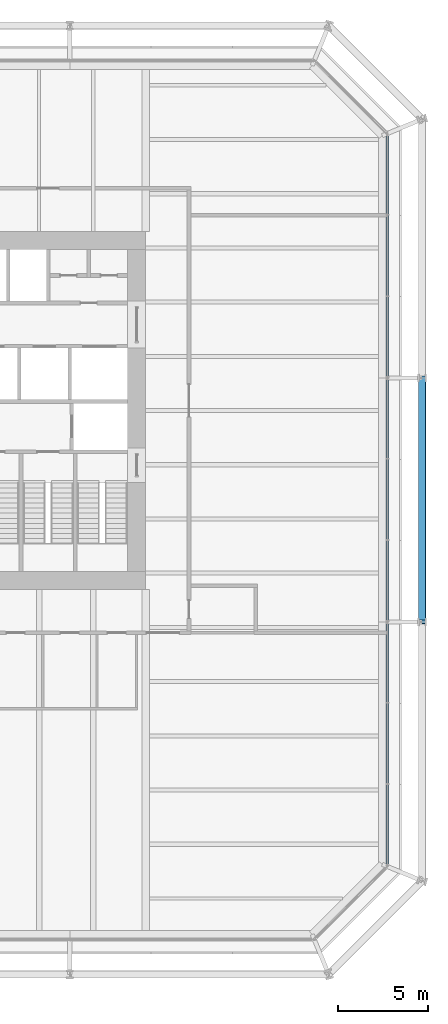
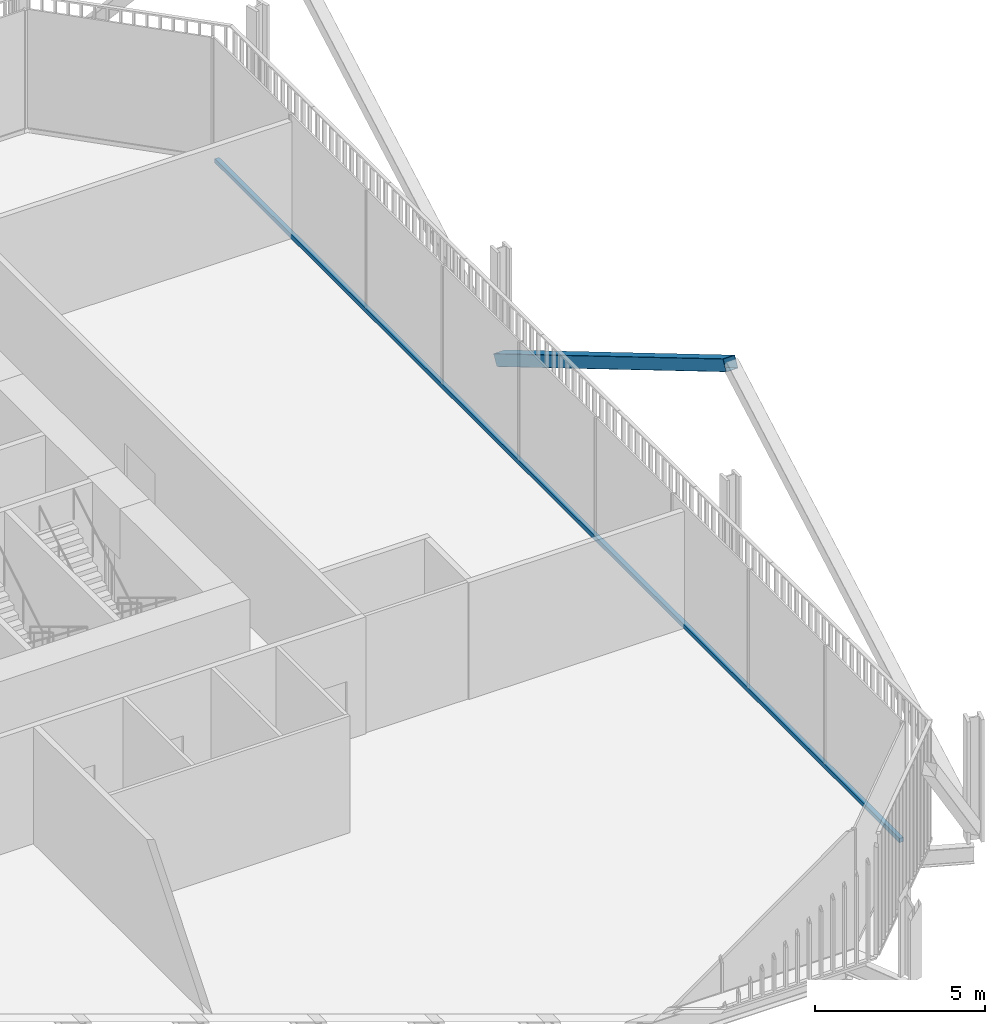
# One storey, part 9 of 21: 2 members, 1 element without a shape of its own.
"""IFC4 building model written with IfcOpenShell, lengths in metres."""

from ifc_helpers import new_model, si_unit, direction, frame, origin, origin_2d, place, context, subcontext, project, spatial, rectangle, hollow_rectangle, extrude, material, layer, layer_set, material_profile, profile_set, type_object, element, aggregate, save


model = new_model("IFC4")

# Units and contexts
model_context = context("Model", 3, precision=1e-05, world=origin(), true_north=direction((0.0, 1.0)))
body_context = subcontext(model_context, "Body", "Model", "MODEL_VIEW")
ifc_project = project(units=[si_unit("LENGTHUNIT", "METRE"), si_unit("AREAUNIT", "SQUARE_METRE"), si_unit("VOLUMEUNIT", "CUBIC_METRE"), si_unit("PLANEANGLEUNIT", "RADIAN"), si_unit("MASSUNIT", "GRAM", prefix="KILO")], contexts=[model_context])

# Site, building, storey
site_placement = place(None, origin())
site = spatial("IfcSite", under=ifc_project, at=site_placement, CompositionType="ELEMENT")
building_placement = place(site_placement, origin())
building = spatial("IfcBuilding", under=site, at=building_placement, Name="Millrace Tower", CompositionType="ELEMENT")
storey_placement = place(building_placement, frame((0.0, 0.0, 104.0)))
storey = spatial("IfcBuildingStorey", under=building, at=storey_placement, Name="L23", CompositionType="ELEMENT", Elevation=104.0)

# Curtain wall, member
ifc_material_1 = material(Name="Aluminium and glass", Category="aluminium")
ifc_layer = layer(ifc_material_1, 0.14990234375)
ifc_layer_set = layer_set([ifc_layer], Name="Aluminium and glass")
curtain_wall_type = type_object("IfcCurtainWallType", Name="CW-3 telecom floor curtain wall", PredefinedType="NOTDEFINED", material=ifc_layer_set)
curtain_wall_placement = place(storey_placement, origin())
curtain_wall = element("IfcCurtainWall", 1, at=curtain_wall_placement, inside=storey, type_object=curtain_wall_type, Name="Curtain wall B-F04 L23", PredefinedType="NOTDEFINED")
ifc_material_2 = material(Name="Aluminium", Category="aluminium")
ifc_material_profile_1 = material_profile(ifc_material_2, rectangle(XDim=0.14990234375, YDim=0.14990234375, at=origin_2d()))
ifc_profile_set_1 = profile_set([ifc_material_profile_1], Name="Aluminium")
member_type_1 = type_object("IfcMemberType", Name="CW-3 telecom floor curtain wall transom", PredefinedType="USERDEFINED", material=ifc_profile_set_1)
member_1_placement = place(storey_placement, frame((28.27490234375, -25.10009765625, 0.074951171875), z_axis=(0.0, 1.0, 0.0), x_axis=(-1.0, 0.0, 0.0)))
member_1 = element("IfcMember", 2, at=member_1_placement, type_object=member_type_1, Name="CW3 transom B-F04.1", ObjectType="TRANSOM", PredefinedType="USERDEFINED", context=body_context, shape_type="SweptSolid", body=[
    extrude(rectangle(XDim=0.14990234375, YDim=0.14990234375, at=origin_2d()), origin(), (0.0, 0.0, 1.0), 40.300048828125),
])
aggregate(curtain_wall, [member_1])

# Member
ifc_material_3 = material(Name="Steel ASTM A500 Grade C", Category="steel")
ifc_material_profile_2 = material_profile(ifc_material_3, hollow_rectangle(XDim=0.406494140625, YDim=0.406494140625, WallThickness=0.0126953125, InnerFilletRadius=0.00634765625, OuterFilletRadius=0.01904296875, at=origin_2d()))
ifc_profile_set_2 = profile_set([ifc_material_profile_2], Name="Steel ASTM A500 Grade C")
member_type_2 = type_object("IfcMemberType", Name="Exoskeleton brace HSS16x16x1/2", PredefinedType="BRACE", material=ifc_profile_set_2)
member_2_placement = place(storey_placement, frame((30.199951171875, 1.800048828125, 0.39990234375), z_axis=(0.0, -0.860291533634, 0.509802390302), x_axis=(1.0, 0.0, 0.0)))
element("IfcMember", 3, at=member_2_placement, inside=storey, type_object=member_type_2, Name="BRC-B-L23-07", PredefinedType="BRACE", context=body_context, shape_type="SweptSolid", body=[
    extrude(hollow_rectangle(XDim=0.406494140625, YDim=0.406494140625, WallThickness=0.0126953125, InnerFilletRadius=0.00634765625, OuterFilletRadius=0.01904296875, at=origin_2d()), origin(), (0.0, 0.0, 1.0), 15.6923828125),
])

save(model, "model.ifc")
